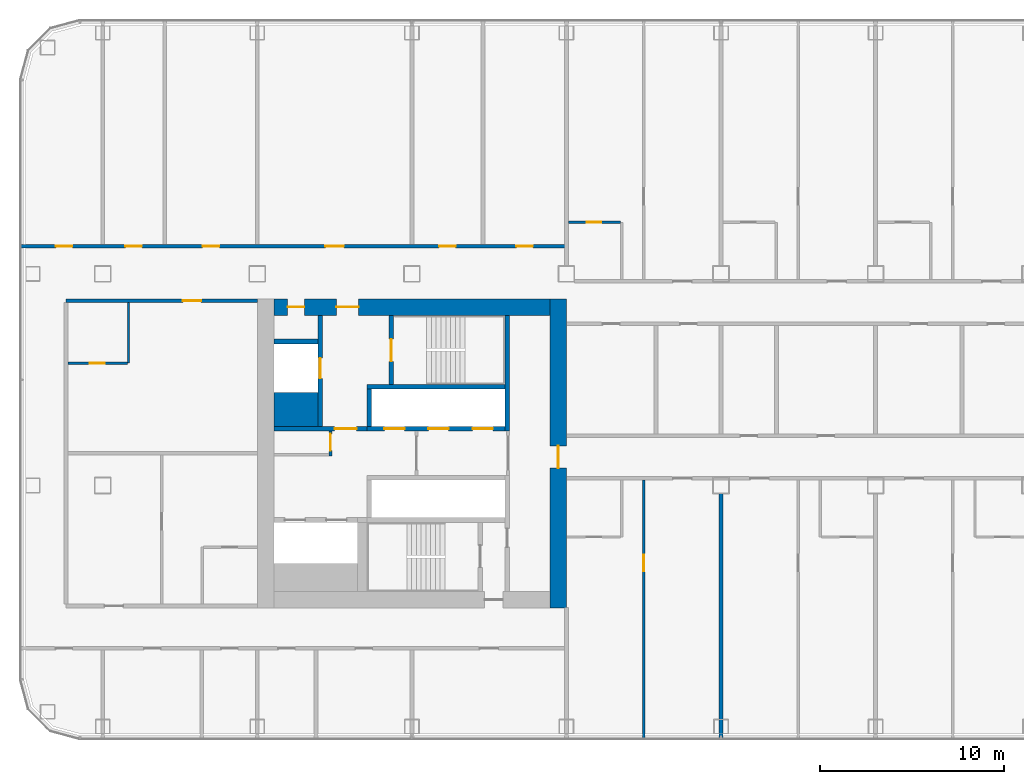
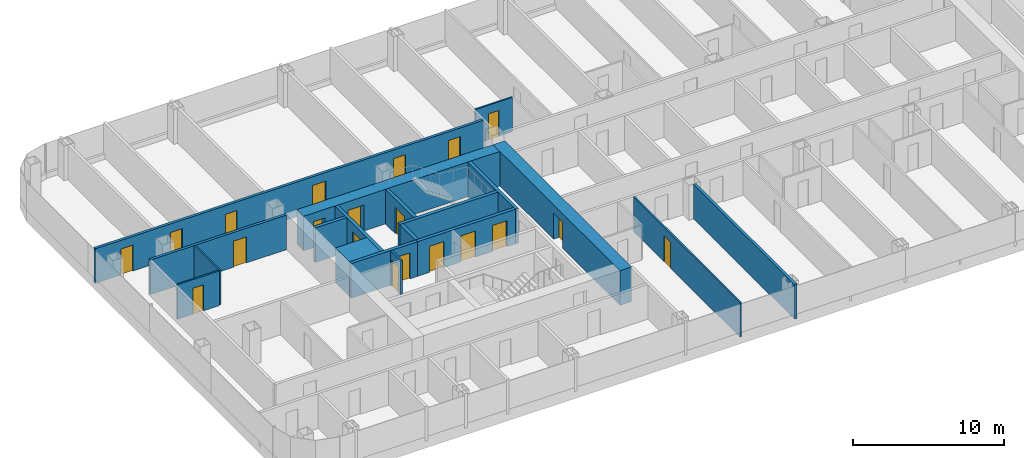
# One storey, part 16 of 29: 20 doors, 19 walls, 20 openings.
"""IFC4 building model written with IfcOpenShell, lengths in metres."""

from ifc_helpers import new_model, si_unit, direction, frame, frame_2d, origin, place, context, subcontext, project, spatial, rectangle, extrude, material, layer, layer_set, type_object, element, fill, save


model = new_model("IFC4")

# Units and contexts
model_context = context("Model", 3, precision=1e-05, world=origin(), true_north=direction((0.0, 1.0)))
body_context = subcontext(model_context, "Body", "Model", "MODEL_VIEW")
ifc_project = project(units=[si_unit("LENGTHUNIT", "METRE"), si_unit("AREAUNIT", "SQUARE_METRE"), si_unit("VOLUMEUNIT", "CUBIC_METRE"), si_unit("PLANEANGLEUNIT", "RADIAN"), si_unit("MASSUNIT", "GRAM", prefix="KILO")], contexts=[model_context])

# Site, building, storey
site_placement = place(None, origin())
site = spatial("IfcSite", under=ifc_project, at=site_placement, CompositionType="ELEMENT")
building_placement = place(site_placement, origin())
building = spatial("IfcBuilding", under=site, at=building_placement, Name="Hakoniwa Tower and Hamabe Station Hall", CompositionType="ELEMENT")
storey_placement = place(building_placement, frame((0.0, 0.0, 104.199951171875)))
storey = spatial("IfcBuildingStorey", under=building, at=storey_placement, Name="L29", CompositionType="ELEMENT", Elevation=104.199951171875)

# Wall, opening, door
ifc_material_1 = material(Name="Gypsum board partition", Category="gypsum")
ifc_layer_1 = layer(ifc_material_1, 0.125)
ifc_layer_set_1 = layer_set([ifc_layer_1], Name="Bathroom Partition 125")
wall_type_1 = type_object("IfcWallType", Name="Bathroom Partition 125", PredefinedType="PARTITIONING", material=ifc_layer_set_1)
wall_1_placement = place(storey_placement, frame((-43.89990234375, 4.89990234375, 0.0), z_axis=(0.0, 0.0, 1.0), x_axis=(1.0, 0.0, 0.0)))
wall_1 = element("IfcWall", 1, at=wall_1_placement, inside=storey, type_object=wall_type_1, Name="GW-L29-015", PredefinedType="PARTITIONING", context=body_context, shape_type="SweptSolid", body=[
    extrude(rectangle(XDim=3.2373046875, YDim=0.125, at=frame_2d((1.61865234375, 0.0))), origin(), (0.0, 0.0, 1.0), 2.800048828125),
])
opening_1_placement = place(wall_1_placement, frame((1.199951171875, 0.0, 0.0)))
opening_1 = element("IfcOpeningElement", 2, at=opening_1_placement, cuts=wall_1, Name="Opening GD-G2E1-28", PredefinedType="OPENING", context=body_context, shape_type="SweptSolid", body=[
    extrude(rectangle(XDim=0.800048828125, YDim=2.10009765625, at=frame_2d((0.39990234375, 1.050048828125))), frame((0.0, 0.072509765625, 0.0), z_axis=(0.0, -1.0, 0.0), x_axis=(1.0, 0.0, 0.0)), (0.0, 0.0, 1.0), 0.14501953125),
])
ifc_material_2 = material(Name="Timber door leaf", Category="wood")
door_type_1 = type_object("IfcDoorType", Name="Bathroom Door 800", OperationType="SINGLE_SWING_LEFT", PredefinedType="DOOR", material=ifc_material_2)
door_1_placement = place(opening_1_placement, origin())
door_1 = element("IfcDoor", 3, at=door_1_placement, inside=storey, type_object=door_type_1, Name="Door GD-G2E1-28", OperationType="SINGLE_SWING_LEFT", OverallHeight=2.10009765625, OverallWidth=0.800048828125, PredefinedType="DOOR", context=body_context, shape_type="SweptSolid", body=[
    extrude(rectangle(XDim=0.800048828125, YDim=2.10009765625, at=frame_2d((0.39990234375, 1.050048828125))), frame((0.0, 0.02490234375, 0.0), z_axis=(0.0, -1.0, 0.0), x_axis=(1.0, 0.0, 0.0)), (0.0, 0.0, 1.0), 0.050048828125),
])
fill(opening_1, door_1)

wall_2_placement = place(storey_placement, frame((-16.699951171875, 12.550048828125, 0.0), z_axis=(0.0, 0.0, 1.0), x_axis=(1.0, 0.0, 0.0)))
wall_2 = element("IfcWall", 4, at=wall_2_placement, inside=storey, type_object=wall_type_1, Name="GW-L29-023", PredefinedType="PARTITIONING", context=body_context, shape_type="SweptSolid", body=[
    extrude(rectangle(XDim=2.83740234375, YDim=0.125, at=frame_2d((1.418701171875, 0.0))), origin(), (0.0, 0.0, 1.0), 2.800048828125),
])
opening_2_placement = place(wall_2_placement, frame((1.0, 0.0, 0.0)))
opening_2 = element("IfcOpeningElement", 5, at=opening_2_placement, cuts=wall_2, Name="Opening GD-G2E1-50", PredefinedType="OPENING", context=body_context, shape_type="SweptSolid", body=[
    extrude(rectangle(XDim=0.800048828125, YDim=2.10009765625, at=frame_2d((0.39990234375, 1.050048828125))), frame((0.0, 0.072509765625, 0.0), z_axis=(0.0, -1.0, 0.0), x_axis=(1.0, 0.0, 0.0)), (0.0, 0.0, 1.0), 0.14501953125),
])
door_2_placement = place(opening_2_placement, origin())
door_2 = element("IfcDoor", 6, at=door_2_placement, inside=storey, type_object=door_type_1, Name="Door GD-G2E1-50", OperationType="SINGLE_SWING_LEFT", OverallHeight=2.10009765625, OverallWidth=0.800048828125, PredefinedType="DOOR", context=body_context, shape_type="SweptSolid", body=[
    extrude(rectangle(XDim=0.800048828125, YDim=2.10009765625, at=frame_2d((0.39990234375, 1.050048828125))), frame((0.0, 0.02490234375, 0.0), z_axis=(0.0, -1.0, 0.0), x_axis=(1.0, 0.0, 0.0)), (0.0, 0.0, 1.0), 0.050048828125),
])
fill(opening_2, door_2)

# Wall
wall_3_placement = place(storey_placement, frame((-40.60009765625, 4.89990234375, 0.0), z_axis=(0.0, 0.0, 1.0), x_axis=(0.0, 1.0, 0.0)))
element("IfcWall", 7, at=wall_3_placement, inside=storey, type_object=wall_type_1, Name="GW-L29-032", PredefinedType="PARTITIONING", context=body_context, shape_type="SweptSolid", body=[
    extrude(rectangle(XDim=3.300048828125, YDim=0.125, at=frame_2d((1.64990234375, 0.0))), origin(), (0.0, 0.0, 1.0), 2.800048828125),
])

# Wall, opening, door
ifc_material_3 = material(Name="Gypsum board partition")
ifc_layer_2 = layer(ifc_material_3, 0.14990234375)
ifc_layer_set_2 = layer_set([ifc_layer_2], Name="CORE PARTITION 150 EI 60")
wall_type_2 = type_object("IfcWallType", Name="CORE PARTITION 150 EI 60", PredefinedType="PARTITIONING", material=ifc_layer_set_2)
wall_4_placement = place(storey_placement, frame((-29.625, -0.14990234375, 0.0), z_axis=(0.0, 0.0, 1.0), x_axis=(0.0, 1.0, 0.0)))
wall_4 = element("IfcWall", 8, at=wall_4_placement, inside=storey, type_object=wall_type_2, Name="Core partition PW0 west", PredefinedType="PARTITIONING", context=body_context, shape_type="SweptSolid", body=[
    extrude(rectangle(XDim=1.349853515625, YDim=0.14990234375, at=frame_2d((0.6748046875, 0.0))), origin(), (0.0, 0.0, 1.0), 2.800048828125),
])
opening_3_placement = place(wall_4_placement, frame((0.300048828125, 0.0, 0.0)))
opening_3 = element("IfcOpeningElement", 9, at=opening_3_placement, cuts=wall_4, Name="Opening CD-W-RM1-9", PredefinedType="OPENING", context=body_context, shape_type="SweptSolid", body=[
    extrude(rectangle(XDim=0.89990234375, YDim=2.10009765625, at=frame_2d((0.449951171875, 1.050048828125))), frame((0.0, 0.0849609375, 0.0), z_axis=(0.0, -1.0, 0.0), x_axis=(1.0, 0.0, 0.0)), (0.0, 0.0, 1.0), 0.169921875),
])
ifc_material_4 = material(Name="Steel fire door", Category="steel")
door_type_2 = type_object("IfcDoorType", Name="CORE DOOR 900 FD30", OperationType="NOTDEFINED", PredefinedType="DOOR", material=ifc_material_4)
door_3_placement = place(opening_3_placement, origin())
door_3 = element("IfcDoor", 10, at=door_3_placement, inside=storey, type_object=door_type_2, Name="Store room door", OperationType="SINGLE_SWING_LEFT", OverallHeight=2.10009765625, OverallWidth=0.89990234375, PredefinedType="DOOR", context=body_context, shape_type="SweptSolid", body=[
    extrude(rectangle(XDim=0.89990234375, YDim=2.10009765625, at=frame_2d((0.449951171875, 1.050048828125))), frame((0.0, 0.02490234375, 0.0), z_axis=(0.0, -1.0, 0.0), x_axis=(1.0, 0.0, 0.0)), (0.0, 0.0, 1.0), 0.050048828125),
])
fill(opening_3, door_3)

ifc_material_5 = material(Name="Concrete C72", Category="concrete")
ifc_layer_3 = layer(ifc_material_5, 0.89990234375)
ifc_layer_set_3 = layer_set([ifc_layer_3], Name="CORE WALL 900 C72")
wall_type_3 = type_object("IfcWallType", Name="CORE WALL 900 C72", PredefinedType="SHEAR", material=ifc_layer_set_3)
wall_5_placement = place(storey_placement, frame((-17.25, -8.39990234375, 0.0), z_axis=(0.0, 0.0, 1.0), x_axis=(0.0, 1.0, 0.0)))
wall_5 = element("IfcWall", 11, at=wall_5_placement, inside=storey, type_object=wall_type_3, Name="Core wall INNER west", PredefinedType="SHEAR", context=body_context, shape_type="SweptSolid", body=[
    extrude(rectangle(XDim=16.7998046875, YDim=0.89990234375, at=frame_2d((8.39990234375, 0.0))), origin(), (0.0, 0.0, 1.0), 2.800048828125),
])
opening_4_placement = place(wall_5_placement, frame((7.60009765625, 0.0, 0.0)))
opening_4 = element("IfcOpeningElement", 12, at=opening_4_placement, cuts=wall_5, Name="Opening CD-W-IN1-12", PredefinedType="OPENING", context=body_context, shape_type="SweptSolid", body=[
    extrude(rectangle(XDim=1.199951171875, YDim=2.10009765625, at=frame_2d((0.60009765625, 1.050048828125))), frame((0.0, 0.4599609375, 0.0), z_axis=(0.0, -1.0, 0.0), x_axis=(1.0, 0.0, 0.0)), (0.0, 0.0, 1.0), 0.919921875),
])
ifc_material_6 = material(Name="Steel fire door", Category="steel")
door_type_3 = type_object("IfcDoorType", Name="CORE DOOR 1200 FD60", OperationType="DOUBLE_DOOR_SINGLE_SWING", PredefinedType="DOOR", material=ifc_material_6)
door_4_placement = place(opening_4_placement, origin())
door_4 = element("IfcDoor", 13, at=door_4_placement, inside=storey, type_object=door_type_3, Name="Lift lobby door", OperationType="DOUBLE_DOOR_SINGLE_SWING", OverallHeight=2.10009765625, OverallWidth=1.199951171875, PredefinedType="DOOR", context=body_context, shape_type="SweptSolid", body=[
    extrude(rectangle(XDim=1.199951171875, YDim=2.10009765625, at=frame_2d((0.60009765625, 1.050048828125))), frame((0.0, 0.02490234375, 0.0), z_axis=(0.0, -1.0, 0.0), x_axis=(1.0, 0.0, 0.0)), (0.0, 0.0, 1.0), 0.050048828125),
])
fill(opening_4, door_4)

# Wall, openings, doors
wall_6_placement = place(storey_placement, frame((-32.699951171875, 7.949951171875, 0.0), z_axis=(0.0, 0.0, 1.0), x_axis=(1.0, 0.0, 0.0)))
wall_6 = element("IfcWall", 14, at=wall_6_placement, inside=storey, type_object=wall_type_3, Name="Core wall NORTH west", PredefinedType="SHEAR", context=body_context, shape_type="SweptSolid", body=[
    extrude(rectangle(XDim=15.0, YDim=0.89990234375, at=frame_2d((7.5, 0.0))), origin(), (0.0, 0.0, 1.0), 2.800048828125),
])
opening_5_placement = place(wall_6_placement, frame((3.39990234375, 0.0, 0.0)))
opening_5 = element("IfcOpeningElement", 15, at=opening_5_placement, cuts=wall_6, Name="Opening CD-W-FN1-12", PredefinedType="OPENING", context=body_context, shape_type="SweptSolid", body=[
    extrude(rectangle(XDim=1.199951171875, YDim=2.10009765625, at=frame_2d((0.60009765625, 1.050048828125))), frame((0.0, 0.4599609375, 0.0), z_axis=(0.0, -1.0, 0.0), x_axis=(1.0, 0.0, 0.0)), (0.0, 0.0, 1.0), 0.919921875),
])
opening_6_placement = place(wall_6_placement, frame((0.75, 0.0, 0.0)))
opening_6 = element("IfcOpeningElement", 16, at=opening_6_placement, cuts=wall_6, Name="Opening CD-W-FN2-9", PredefinedType="OPENING", context=body_context, shape_type="SweptSolid", body=[
    extrude(rectangle(XDim=0.89990234375, YDim=2.10009765625, at=frame_2d((0.449951171875, 1.050048828125))), frame((0.0, 0.4599609375, 0.0), z_axis=(0.0, -1.0, 0.0), x_axis=(1.0, 0.0, 0.0)), (0.0, 0.0, 1.0), 0.919921875),
])
door_5_placement = place(opening_5_placement, origin())
door_5 = element("IfcDoor", 17, at=door_5_placement, inside=storey, type_object=door_type_3, Name="Stair vestibule door to the fire-fighting lobby", OperationType="DOUBLE_DOOR_SINGLE_SWING", OverallHeight=2.10009765625, OverallWidth=1.199951171875, PredefinedType="DOOR", context=body_context, shape_type="SweptSolid", body=[
    extrude(rectangle(XDim=1.199951171875, YDim=2.10009765625, at=frame_2d((0.60009765625, 1.050048828125))), frame((0.0, 0.02490234375, 0.0), z_axis=(0.0, -1.0, 0.0), x_axis=(1.0, 0.0, 0.0)), (0.0, 0.0, 1.0), 0.050048828125),
])
fill(opening_5, door_5)
door_6_placement = place(opening_6_placement, origin())
door_6 = element("IfcDoor", 18, at=door_6_placement, inside=storey, type_object=door_type_2, Name="Riser access door", OperationType="SINGLE_SWING_LEFT", OverallHeight=2.10009765625, OverallWidth=0.89990234375, PredefinedType="DOOR", context=body_context, shape_type="SweptSolid", body=[
    extrude(rectangle(XDim=0.89990234375, YDim=2.10009765625, at=frame_2d((0.449951171875, 1.050048828125))), frame((0.0, 0.02490234375, 0.0), z_axis=(0.0, -1.0, 0.0), x_axis=(1.0, 0.0, 0.0)), (0.0, 0.0, 1.0), 0.050048828125),
])
fill(opening_6, door_6)

# Walls
ifc_material_7 = material(Name="Concrete C72", Category="concrete")
ifc_layer_4 = layer(ifc_material_7, 1.85009765625)
ifc_layer_set_4 = layer_set([ifc_layer_4], Name="CORE WEB WALL 1850 C72")
wall_type_4 = type_object("IfcWallType", Name="CORE WEB WALL 1850 C72", PredefinedType="SHEAR", material=ifc_layer_set_4)
wall_7_placement = place(storey_placement, frame((-32.699951171875, 2.375, 0.0), z_axis=(0.0, 0.0, 1.0), x_axis=(1.0, 0.0, 0.0)))
element("IfcWall", 19, at=wall_7_placement, inside=storey, type_object=wall_type_4, Name="Core wall CA west", PredefinedType="SHEAR", context=body_context, shape_type="SweptSolid", body=[
    extrude(rectangle(XDim=2.39990234375, YDim=1.85009765625, at=frame_2d((1.199951171875, 0.0))), origin(), (0.0, 0.0, 1.0), 2.800048828125),
])
ifc_material_8 = material(Name="Concrete C72", Category="concrete")
ifc_layer_5 = layer(ifc_material_8, 0.25)
ifc_layer_set_5 = layer_set([ifc_layer_5], Name="CORE WEB WALL 250 C72")
wall_type_5 = type_object("IfcWallType", Name="CORE WEB WALL 250 C72", PredefinedType="SHEAR", material=ifc_layer_set_5)
wall_8_placement = place(storey_placement, frame((-20.02490234375, 1.199951171875, 0.0), z_axis=(0.0, 0.0, 1.0), x_axis=(0.0, 1.0, 0.0)))
element("IfcWall", 20, at=wall_8_placement, inside=storey, type_object=wall_type_5, Name="Core wall W1N west", PredefinedType="SHEAR", context=body_context, shape_type="SweptSolid", body=[
    extrude(rectangle(XDim=6.300048828125, YDim=0.25, at=frame_2d((3.14990234375, 0.0))), origin(), (0.0, 0.0, 1.0), 2.800048828125),
])

# Wall, openings, doors
wall_9_placement = place(storey_placement, frame((-27.64990234375, 1.324951171875, 0.0), z_axis=(0.0, 0.0, 1.0), x_axis=(1.0, 0.0, 0.0)))
wall_9 = element("IfcWall", 21, at=wall_9_placement, inside=storey, type_object=wall_type_5, Name="Core wall NF west", PredefinedType="SHEAR", context=body_context, shape_type="SweptSolid", body=[
    extrude(rectangle(XDim=7.5, YDim=0.25, at=frame_2d((3.75, 0.0))), origin(), (0.0, 0.0, 1.0), 2.800048828125),
])
opening_7_placement = place(wall_9_placement, frame((5.75, 0.0, 0.0)))
opening_7 = element("IfcOpeningElement", 22, at=opening_7_placement, cuts=wall_9, Name="Opening LD-LR1", PredefinedType="OPENING", context=body_context, shape_type="SweptSolid", body=[
    extrude(rectangle(XDim=1.10009765625, YDim=2.10009765625, at=frame_2d((0.550048828125, 1.050048828125))), frame((0.0, 0.135009765625, 0.0), z_axis=(0.0, -1.0, 0.0), x_axis=(1.0, 0.0, 0.0)), (0.0, 0.0, 1.0), 0.27001953125),
])
opening_8_placement = place(wall_9_placement, frame((3.35009765625, 0.0, 0.0)))
opening_8 = element("IfcOpeningElement", 23, at=opening_8_placement, cuts=wall_9, Name="Opening LD-LR2", PredefinedType="OPENING", context=body_context, shape_type="SweptSolid", body=[
    extrude(rectangle(XDim=1.10009765625, YDim=2.10009765625, at=frame_2d((0.550048828125, 1.050048828125))), frame((0.0, 0.135009765625, 0.0), z_axis=(0.0, -1.0, 0.0), x_axis=(1.0, 0.0, 0.0)), (0.0, 0.0, 1.0), 0.27001953125),
])
opening_9_placement = place(wall_9_placement, frame((0.949951171875, 0.0, 0.0)))
opening_9 = element("IfcOpeningElement", 24, at=opening_9_placement, cuts=wall_9, Name="Opening LD-LR3", PredefinedType="OPENING", context=body_context, shape_type="SweptSolid", body=[
    extrude(rectangle(XDim=1.10009765625, YDim=2.10009765625, at=frame_2d((0.550048828125, 1.050048828125))), frame((0.0, 0.135009765625, 0.0), z_axis=(0.0, -1.0, 0.0), x_axis=(1.0, 0.0, 0.0)), (0.0, 0.0, 1.0), 0.27001953125),
])
ifc_material_9 = material(Name="Stainless steel SUS304", Category="steel")
door_type_4 = type_object("IfcDoorType", Name="LIFT LANDING DOOR 1100 FD60", OperationType="DOUBLE_DOOR_SLIDING", PredefinedType="DOOR", material=ifc_material_9)
door_7_placement = place(opening_7_placement, origin())
door_7 = element("IfcDoor", 25, at=door_7_placement, inside=storey, type_object=door_type_4, Name="Lift landing door LR1 L29", OperationType="DOUBLE_DOOR_SLIDING", OverallHeight=2.10009765625, OverallWidth=1.10009765625, PredefinedType="DOOR", context=body_context, shape_type="SweptSolid", body=[
    extrude(rectangle(XDim=1.10009765625, YDim=2.10009765625, at=frame_2d((0.550048828125, 1.050048828125))), frame((0.0, 0.02490234375, 0.0), z_axis=(0.0, -1.0, 0.0), x_axis=(1.0, 0.0, 0.0)), (0.0, 0.0, 1.0), 0.050048828125),
])
fill(opening_7, door_7)
door_8_placement = place(opening_8_placement, origin())
door_8 = element("IfcDoor", 26, at=door_8_placement, inside=storey, type_object=door_type_4, Name="Lift landing door LR2 L29", OperationType="DOUBLE_DOOR_SLIDING", OverallHeight=2.10009765625, OverallWidth=1.10009765625, PredefinedType="DOOR", context=body_context, shape_type="SweptSolid", body=[
    extrude(rectangle(XDim=1.10009765625, YDim=2.10009765625, at=frame_2d((0.550048828125, 1.050048828125))), frame((0.0, 0.02490234375, 0.0), z_axis=(0.0, -1.0, 0.0), x_axis=(1.0, 0.0, 0.0)), (0.0, 0.0, 1.0), 0.050048828125),
])
fill(opening_8, door_8)
door_9_placement = place(opening_9_placement, origin())
door_9 = element("IfcDoor", 27, at=door_9_placement, inside=storey, type_object=door_type_4, Name="Lift landing door LR3 L29", OperationType="DOUBLE_DOOR_SLIDING", OverallHeight=2.10009765625, OverallWidth=1.10009765625, PredefinedType="DOOR", context=body_context, shape_type="SweptSolid", body=[
    extrude(rectangle(XDim=1.10009765625, YDim=2.10009765625, at=frame_2d((0.550048828125, 1.050048828125))), frame((0.0, 0.02490234375, 0.0), z_axis=(0.0, -1.0, 0.0), x_axis=(1.0, 0.0, 0.0)), (0.0, 0.0, 1.0), 0.050048828125),
])
fill(opening_9, door_9)

# Walls
wall_10_placement = place(storey_placement, frame((-27.52490234375, 1.449951171875, 0.0), z_axis=(0.0, 0.0, 1.0), x_axis=(0.0, 1.0, 0.0)))
element("IfcWall", 28, at=wall_10_placement, inside=storey, type_object=wall_type_5, Name="Core wall NE west", PredefinedType="SHEAR", context=body_context, shape_type="SweptSolid", body=[
    extrude(rectangle(XDim=2.050048828125, YDim=0.25, at=frame_2d((1.02490234375, 0.0))), origin(), (0.0, 0.0, 1.0), 2.800048828125),
])
wall_11_placement = place(storey_placement, frame((-27.64990234375, 3.625, 0.0), z_axis=(0.0, 0.0, 1.0), x_axis=(1.0, 0.0, 0.0)))
element("IfcWall", 29, at=wall_11_placement, inside=storey, type_object=wall_type_5, Name="Core wall NR west", PredefinedType="SHEAR", context=body_context, shape_type="SweptSolid", body=[
    extrude(rectangle(XDim=7.5, YDim=0.25, at=frame_2d((3.75, 0.0))), origin(), (0.0, 0.0, 1.0), 2.800048828125),
])

# Wall, opening, door
wall_12_placement = place(storey_placement, frame((-26.324951171875, 3.75, 0.0), z_axis=(0.0, 0.0, 1.0), x_axis=(0.0, 1.0, 0.0)))
wall_12 = element("IfcWall", 30, at=wall_12_placement, inside=storey, type_object=wall_type_5, Name="Core wall NSE west", PredefinedType="SHEAR", context=body_context, shape_type="SweptSolid", body=[
    extrude(rectangle(XDim=3.75, YDim=0.25, at=frame_2d((1.875, 0.0))), origin(), (0.0, 0.0, 1.0), 2.800048828125),
])
opening_10_placement = place(wall_12_placement, frame((1.25, 0.0, 0.0)))
opening_10 = element("IfcOpeningElement", 31, at=opening_10_placement, cuts=wall_12, Name="Opening CD-W-SN-12", PredefinedType="OPENING", context=body_context, shape_type="SweptSolid", body=[
    extrude(rectangle(XDim=1.199951171875, YDim=2.10009765625, at=frame_2d((0.60009765625, 1.050048828125))), frame((0.0, 0.135009765625, 0.0), z_axis=(0.0, -1.0, 0.0), x_axis=(1.0, 0.0, 0.0)), (0.0, 0.0, 1.0), 0.27001953125),
])
door_10_placement = place(opening_10_placement, origin())
door_10 = element("IfcDoor", 32, at=door_10_placement, inside=storey, type_object=door_type_3, Name="Escape stair door", OperationType="DOUBLE_DOOR_SINGLE_SWING", OverallHeight=2.10009765625, OverallWidth=1.199951171875, PredefinedType="DOOR", context=body_context, shape_type="SweptSolid", body=[
    extrude(rectangle(XDim=1.199951171875, YDim=2.10009765625, at=frame_2d((0.60009765625, 1.050048828125))), frame((0.0, 0.02490234375, 0.0), z_axis=(0.0, -1.0, 0.0), x_axis=(1.0, 0.0, 0.0)), (0.0, 0.0, 1.0), 0.050048828125),
])
fill(opening_10, door_10)

wall_13_placement = place(storey_placement, frame((-32.699951171875, 1.324951171875, 0.0), z_axis=(0.0, 0.0, 1.0), x_axis=(1.0, 0.0, 0.0)))
wall_13 = element("IfcWall", 33, at=wall_13_placement, inside=storey, type_object=wall_type_5, Name="Core wall ELN west", PredefinedType="SHEAR", context=body_context, shape_type="SweptSolid", body=[
    extrude(rectangle(XDim=5.050048828125, YDim=0.25, at=frame_2d((2.52490234375, 0.0))), origin(), (0.0, 0.0, 1.0), 2.800048828125),
])
opening_11_placement = place(wall_13_placement, frame((3.300048828125, 0.0, 0.0)))
opening_11 = element("IfcOpeningElement", 34, at=opening_11_placement, cuts=wall_13, Name="Opening CD-W-FL-12", PredefinedType="OPENING", context=body_context, shape_type="SweptSolid", body=[
    extrude(rectangle(XDim=1.199951171875, YDim=2.10009765625, at=frame_2d((0.60009765625, 1.050048828125))), frame((0.0, 0.135009765625, 0.0), z_axis=(0.0, -1.0, 0.0), x_axis=(1.0, 0.0, 0.0)), (0.0, 0.0, 1.0), 0.27001953125),
])
door_11_placement = place(opening_11_placement, origin())
door_11 = element("IfcDoor", 35, at=door_11_placement, inside=storey, type_object=door_type_3, Name="Stair vestibule door to the fire-fighting lobby", OperationType="DOUBLE_DOOR_SINGLE_SWING", OverallHeight=2.10009765625, OverallWidth=1.199951171875, PredefinedType="DOOR", context=body_context, shape_type="SweptSolid", body=[
    extrude(rectangle(XDim=1.199951171875, YDim=2.10009765625, at=frame_2d((0.60009765625, 1.050048828125))), frame((0.0, 0.02490234375, 0.0), z_axis=(0.0, -1.0, 0.0), x_axis=(1.0, 0.0, 0.0)), (0.0, 0.0, 1.0), 0.050048828125),
])
fill(opening_11, door_11)

wall_14_placement = place(storey_placement, frame((-30.175048828125, 1.449951171875, 0.0), z_axis=(0.0, 0.0, 1.0), x_axis=(0.0, 1.0, 0.0)))
wall_14 = element("IfcWall", 36, at=wall_14_placement, inside=storey, type_object=wall_type_5, Name="Core wall FFF west", PredefinedType="SHEAR", context=body_context, shape_type="SweptSolid", body=[
    extrude(rectangle(XDim=6.050048828125, YDim=0.25, at=frame_2d((3.02490234375, 0.0))), origin(), (0.0, 0.0, 1.0), 2.800048828125),
])
opening_12_placement = place(wall_14_placement, frame((2.625, 0.0, 0.0)))
opening_12 = element("IfcOpeningElement", 37, at=opening_12_placement, cuts=wall_14, Name="Opening LD-FF1", PredefinedType="OPENING", context=body_context, shape_type="SweptSolid", body=[
    extrude(rectangle(XDim=1.10009765625, YDim=2.10009765625, at=frame_2d((0.550048828125, 1.050048828125))), frame((0.0, 0.135009765625, 0.0), z_axis=(0.0, -1.0, 0.0), x_axis=(1.0, 0.0, 0.0)), (0.0, 0.0, 1.0), 0.27001953125),
])
door_12_placement = place(opening_12_placement, origin())
door_12 = element("IfcDoor", 38, at=door_12_placement, inside=storey, type_object=door_type_4, Name="Lift landing door FF1 L29", OperationType="DOUBLE_DOOR_SLIDING", OverallHeight=2.10009765625, OverallWidth=1.10009765625, PredefinedType="DOOR", context=body_context, shape_type="SweptSolid", body=[
    extrude(rectangle(XDim=1.10009765625, YDim=2.10009765625, at=frame_2d((0.550048828125, 1.050048828125))), frame((0.0, 0.02490234375, 0.0), z_axis=(0.0, -1.0, 0.0), x_axis=(1.0, 0.0, 0.0)), (0.0, 0.0, 1.0), 0.050048828125),
])
fill(opening_12, door_12)

# Wall
wall_15_placement = place(storey_placement, frame((-32.699951171875, 6.074951171875, 0.0), z_axis=(0.0, 0.0, 1.0), x_axis=(1.0, 0.0, 0.0)))
element("IfcWall", 39, at=wall_15_placement, inside=storey, type_object=wall_type_5, Name="Core wall C2 west", PredefinedType="SHEAR", context=body_context, shape_type="SweptSolid", body=[
    extrude(rectangle(XDim=2.39990234375, YDim=0.25, at=frame_2d((1.199951171875, 0.0))), origin(), (0.0, 0.0, 1.0), 2.800048828125),
])

# Wall, opening, door
ifc_material_10 = material(Name="Fire-rated gypsum board partition", Category="gypsum")
ifc_layer_6 = layer(ifc_material_10, 0.199951171875)
ifc_layer_set_6 = layer_set([ifc_layer_6], Name="Corridor Wall 200")
wall_type_6 = type_object("IfcWallType", Name="Corridor Wall 200", PredefinedType="PARTITIONING", material=ifc_layer_set_6)
wall_16_placement = place(storey_placement, frame((-44.0, 8.300048828125, 0.0), z_axis=(0.0, 0.0, 1.0), x_axis=(1.0, 0.0, 0.0)))
wall_16 = element("IfcWall", 40, at=wall_16_placement, inside=storey, type_object=wall_type_6, Name="GW-L29-018", PredefinedType="PARTITIONING", context=body_context, shape_type="SweptSolid", body=[
    extrude(rectangle(XDim=10.39990234375, YDim=0.199951171875, at=frame_2d((5.199951171875, 0.0))), origin(), (0.0, 0.0, 1.0), 2.800048828125),
])
opening_13_placement = place(wall_16_placement, frame((6.35009765625, 0.0, 0.0)))
opening_13 = element("IfcOpeningElement", 41, at=opening_13_placement, cuts=wall_16, Name="Opening GD-G2E1-34", PredefinedType="OPENING", context=body_context, shape_type="SweptSolid", body=[
    extrude(rectangle(XDim=1.0, YDim=2.10009765625, at=frame_2d((0.5, 1.050048828125))), frame((0.0, 0.10986328125, 0.0), z_axis=(0.0, -1.0, 0.0), x_axis=(1.0, 0.0, 0.0)), (0.0, 0.0, 1.0), 0.219970703125),
])
ifc_material_11 = material(Name="Timber door leaf", Category="wood")
door_type_5 = type_object("IfcDoorType", Name="Guest Entrance Door 1000", OperationType="SINGLE_SWING_LEFT", PredefinedType="DOOR", material=ifc_material_11)
door_13_placement = place(opening_13_placement, origin())
door_13 = element("IfcDoor", 42, at=door_13_placement, inside=storey, type_object=door_type_5, Name="Door GD-G2E1-34", OperationType="SINGLE_SWING_LEFT", OverallHeight=2.10009765625, OverallWidth=1.0, PredefinedType="DOOR", context=body_context, shape_type="SweptSolid", body=[
    extrude(rectangle(XDim=1.0, YDim=2.10009765625, at=frame_2d((0.5, 1.050048828125))), frame((0.0, 0.02490234375, 0.0), z_axis=(0.0, -1.0, 0.0), x_axis=(1.0, 0.0, 0.0)), (0.0, 0.0, 1.0), 0.050048828125),
])
fill(opening_13, door_13)

# Wall, openings, doors
wall_17_placement = place(storey_placement, frame((-46.5, 11.25, 0.0), z_axis=(0.0, 0.0, 1.0), x_axis=(1.0, 0.0, 0.0)))
wall_17 = element("IfcWall", 43, at=wall_17_placement, inside=storey, type_object=wall_type_6, Name="GW-L29-021", PredefinedType="PARTITIONING", context=body_context, shape_type="SweptSolid", body=[
    extrude(rectangle(XDim=29.699951171875, YDim=0.199951171875, at=frame_2d((14.85009765625, 0.0))), origin(), (0.0, 0.0, 1.0), 2.800048828125),
])
opening_14_placement = place(wall_17_placement, frame((1.949951171875, 0.0, 0.0)))
opening_14 = element("IfcOpeningElement", 44, at=opening_14_placement, cuts=wall_17, Name="Opening GD-G2E1-40", PredefinedType="OPENING", context=body_context, shape_type="SweptSolid", body=[
    extrude(rectangle(XDim=0.89990234375, YDim=2.10009765625, at=frame_2d((0.449951171875, 1.050048828125))), frame((0.0, 0.10986328125, 0.0), z_axis=(0.0, -1.0, 0.0), x_axis=(1.0, 0.0, 0.0)), (0.0, 0.0, 1.0), 0.219970703125),
])
opening_15_placement = place(wall_17_placement, frame((5.72998046875, 0.0, 0.0)))
opening_15 = element("IfcOpeningElement", 45, at=opening_15_placement, cuts=wall_17, Name="Opening GD-G2E1-41", PredefinedType="OPENING", context=body_context, shape_type="SweptSolid", body=[
    extrude(rectangle(XDim=0.89990234375, YDim=2.10009765625, at=frame_2d((0.449951171875, 1.050048828125))), frame((0.0, 0.10986328125, 0.0), z_axis=(0.0, -1.0, 0.0), x_axis=(1.0, 0.0, 0.0)), (0.0, 0.0, 1.0), 0.219970703125),
])
opening_16_placement = place(wall_17_placement, frame((9.929931640625, 0.0, 0.0)))
opening_16 = element("IfcOpeningElement", 46, at=opening_16_placement, cuts=wall_17, Name="Opening GD-G2E1-42", PredefinedType="OPENING", context=body_context, shape_type="SweptSolid", body=[
    extrude(rectangle(XDim=0.89990234375, YDim=2.10009765625, at=frame_2d((0.449951171875, 1.050048828125))), frame((0.0, 0.10986328125, 0.0), z_axis=(0.0, -1.0, 0.0), x_axis=(1.0, 0.0, 0.0)), (0.0, 0.0, 1.0), 0.219970703125),
])
opening_17_placement = place(wall_17_placement, frame((16.60009765625, 0.0, 0.0)))
opening_17 = element("IfcOpeningElement", 47, at=opening_17_placement, cuts=wall_17, Name="Opening GD-G2E1-43", PredefinedType="OPENING", context=body_context, shape_type="SweptSolid", body=[
    extrude(rectangle(XDim=1.0, YDim=2.10009765625, at=frame_2d((0.5, 1.050048828125))), frame((0.0, 0.10986328125, 0.0), z_axis=(0.0, -1.0, 0.0), x_axis=(1.0, 0.0, 0.0)), (0.0, 0.0, 1.0), 0.219970703125),
])
opening_18_placement = place(wall_17_placement, frame((22.780029296875, 0.0, 0.0)))
opening_18 = element("IfcOpeningElement", 48, at=opening_18_placement, cuts=wall_17, Name="Opening GD-G2E1-44", PredefinedType="OPENING", context=body_context, shape_type="SweptSolid", body=[
    extrude(rectangle(XDim=0.89990234375, YDim=2.10009765625, at=frame_2d((0.449951171875, 1.050048828125))), frame((0.0, 0.10986328125, 0.0), z_axis=(0.0, -1.0, 0.0), x_axis=(1.0, 0.0, 0.0)), (0.0, 0.0, 1.0), 0.219970703125),
])
opening_19_placement = place(wall_17_placement, frame((26.97998046875, 0.0, 0.0)))
opening_19 = element("IfcOpeningElement", 49, at=opening_19_placement, cuts=wall_17, Name="Opening GD-G2E1-45", PredefinedType="OPENING", context=body_context, shape_type="SweptSolid", body=[
    extrude(rectangle(XDim=0.89990234375, YDim=2.10009765625, at=frame_2d((0.449951171875, 1.050048828125))), frame((0.0, 0.10986328125, 0.0), z_axis=(0.0, -1.0, 0.0), x_axis=(1.0, 0.0, 0.0)), (0.0, 0.0, 1.0), 0.219970703125),
])
door_14_placement = place(opening_17_placement, origin())
door_14 = element("IfcDoor", 50, at=door_14_placement, inside=storey, type_object=door_type_5, Name="Door GD-G2E1-43", OperationType="SINGLE_SWING_RIGHT", OverallHeight=2.10009765625, OverallWidth=1.0, PredefinedType="DOOR", context=body_context, shape_type="SweptSolid", body=[
    extrude(rectangle(XDim=1.0, YDim=2.10009765625, at=frame_2d((0.5, 1.050048828125))), frame((0.0, 0.02490234375, 0.0), z_axis=(0.0, -1.0, 0.0), x_axis=(1.0, 0.0, 0.0)), (0.0, 0.0, 1.0), 0.050048828125),
])
fill(opening_17, door_14)
ifc_material_12 = material(Name="Timber door leaf", Category="wood")
door_type_6 = type_object("IfcDoorType", Name="Service Door 900", OperationType="SINGLE_SWING_LEFT", PredefinedType="DOOR", material=ifc_material_12)
door_15_placement = place(opening_14_placement, origin())
door_15 = element("IfcDoor", 51, at=door_15_placement, inside=storey, type_object=door_type_6, Name="Door GD-G2E1-40", OperationType="SINGLE_SWING_LEFT", OverallHeight=2.10009765625, OverallWidth=0.89990234375, PredefinedType="DOOR", context=body_context, shape_type="SweptSolid", body=[
    extrude(rectangle(XDim=0.89990234375, YDim=2.10009765625, at=frame_2d((0.449951171875, 1.050048828125))), frame((0.0, 0.02490234375, 0.0), z_axis=(0.0, -1.0, 0.0), x_axis=(1.0, 0.0, 0.0)), (0.0, 0.0, 1.0), 0.050048828125),
])
fill(opening_14, door_15)
door_16_placement = place(opening_15_placement, origin())
door_16 = element("IfcDoor", 52, at=door_16_placement, inside=storey, type_object=door_type_6, Name="Door GD-G2E1-41", OperationType="SINGLE_SWING_RIGHT", OverallHeight=2.10009765625, OverallWidth=0.89990234375, PredefinedType="DOOR", context=body_context, shape_type="SweptSolid", body=[
    extrude(rectangle(XDim=0.89990234375, YDim=2.10009765625, at=frame_2d((0.449951171875, 1.050048828125))), frame((0.0, 0.02490234375, 0.0), z_axis=(0.0, -1.0, 0.0), x_axis=(1.0, 0.0, 0.0)), (0.0, 0.0, 1.0), 0.050048828125),
])
fill(opening_15, door_16)
door_17_placement = place(opening_16_placement, origin())
door_17 = element("IfcDoor", 53, at=door_17_placement, inside=storey, type_object=door_type_6, Name="Door GD-G2E1-42", OperationType="SINGLE_SWING_LEFT", OverallHeight=2.10009765625, OverallWidth=0.89990234375, PredefinedType="DOOR", context=body_context, shape_type="SweptSolid", body=[
    extrude(rectangle(XDim=0.89990234375, YDim=2.10009765625, at=frame_2d((0.449951171875, 1.050048828125))), frame((0.0, 0.02490234375, 0.0), z_axis=(0.0, -1.0, 0.0), x_axis=(1.0, 0.0, 0.0)), (0.0, 0.0, 1.0), 0.050048828125),
])
fill(opening_16, door_17)
door_18_placement = place(opening_18_placement, origin())
door_18 = element("IfcDoor", 54, at=door_18_placement, inside=storey, type_object=door_type_6, Name="Door GD-G2E1-44", OperationType="SINGLE_SWING_LEFT", OverallHeight=2.10009765625, OverallWidth=0.89990234375, PredefinedType="DOOR", context=body_context, shape_type="SweptSolid", body=[
    extrude(rectangle(XDim=0.89990234375, YDim=2.10009765625, at=frame_2d((0.449951171875, 1.050048828125))), frame((0.0, 0.02490234375, 0.0), z_axis=(0.0, -1.0, 0.0), x_axis=(1.0, 0.0, 0.0)), (0.0, 0.0, 1.0), 0.050048828125),
])
fill(opening_18, door_18)
door_19_placement = place(opening_19_placement, origin())
door_19 = element("IfcDoor", 55, at=door_19_placement, inside=storey, type_object=door_type_6, Name="Door GD-G2E1-45", OperationType="SINGLE_SWING_RIGHT", OverallHeight=2.10009765625, OverallWidth=0.89990234375, PredefinedType="DOOR", context=body_context, shape_type="SweptSolid", body=[
    extrude(rectangle(XDim=0.89990234375, YDim=2.10009765625, at=frame_2d((0.449951171875, 1.050048828125))), frame((0.0, 0.02490234375, 0.0), z_axis=(0.0, -1.0, 0.0), x_axis=(1.0, 0.0, 0.0)), (0.0, 0.0, 1.0), 0.050048828125),
])
fill(opening_19, door_19)

# Wall
ifc_material_13 = material(Name="Fire-rated gypsum board partition", Category="gypsum")
ifc_layer_7 = layer(ifc_material_13, 0.199951171875)
ifc_layer_set_7 = layer_set([ifc_layer_7], Name="Party Wall 200")
wall_type_7 = type_object("IfcWallType", Name="Party Wall 200", PredefinedType="PARTITIONING", material=ifc_layer_set_7)
wall_18_placement = place(storey_placement, frame((-8.39990234375, -15.550048828125, 0.0), z_axis=(0.0, 0.0, 1.0), x_axis=(0.0, 1.0, 0.0)))
element("IfcWall", 56, at=wall_18_placement, inside=storey, type_object=wall_type_7, Name="GW-L29-050", PredefinedType="PARTITIONING", context=body_context, shape_type="SweptSolid", body=[
    extrude(rectangle(XDim=13.360107421875, YDim=0.199951171875, at=frame_2d((6.68017578125, 0.0))), origin(), (0.0, 0.0, 1.0), 2.800048828125),
])

# Wall, opening, door
ifc_material_14 = material(Name="Gypsum board partition", Category="gypsum")
ifc_layer_8 = layer(ifc_material_14, 0.125)
ifc_layer_set_8 = layer_set([ifc_layer_8], Name="Room Partition 125")
wall_type_8 = type_object("IfcWallType", Name="Room Partition 125", PredefinedType="PARTITIONING", material=ifc_layer_set_8)
wall_19_placement = place(storey_placement, frame((-12.60009765625, -15.550048828125, 0.0), z_axis=(0.0, 0.0, 1.0), x_axis=(0.0, 1.0, 0.0)))
wall_19 = element("IfcWall", 57, at=wall_19_placement, inside=storey, type_object=wall_type_8, Name="GW-L29-047", PredefinedType="PARTITIONING", context=body_context, shape_type="SweptSolid", body=[
    extrude(rectangle(XDim=14.10009765625, YDim=0.125, at=frame_2d((7.050048828125, 0.0))), origin(), (0.0, 0.0, 1.0), 2.800048828125),
])
opening_20_placement = place(wall_19_placement, frame((9.14990234375, 0.0, 0.0)))
opening_20 = element("IfcOpeningElement", 58, at=opening_20_placement, cuts=wall_19, Name="Opening GD-G2E1-58", PredefinedType="OPENING", context=body_context, shape_type="SweptSolid", body=[
    extrude(rectangle(XDim=0.89990234375, YDim=2.10009765625, at=frame_2d((0.449951171875, 1.050048828125))), frame((0.0, 0.072509765625, 0.0), z_axis=(0.0, -1.0, 0.0), x_axis=(1.0, 0.0, 0.0)), (0.0, 0.0, 1.0), 0.14501953125),
])
ifc_material_15 = material(Name="Timber door leaf", Category="wood")
door_type_7 = type_object("IfcDoorType", Name="Suite Interior Door 900", OperationType="SINGLE_SWING_LEFT", PredefinedType="DOOR", material=ifc_material_15)
door_20_placement = place(opening_20_placement, origin())
door_20 = element("IfcDoor", 59, at=door_20_placement, inside=storey, type_object=door_type_7, Name="Door GD-G2E1-58", OperationType="SINGLE_SWING_RIGHT", OverallHeight=2.10009765625, OverallWidth=0.89990234375, PredefinedType="DOOR", context=body_context, shape_type="SweptSolid", body=[
    extrude(rectangle(XDim=0.89990234375, YDim=2.10009765625, at=frame_2d((0.449951171875, 1.050048828125))), frame((0.0, 0.02490234375, 0.0), z_axis=(0.0, -1.0, 0.0), x_axis=(1.0, 0.0, 0.0)), (0.0, 0.0, 1.0), 0.050048828125),
])
fill(opening_20, door_20)

save(model, "model.ifc")
